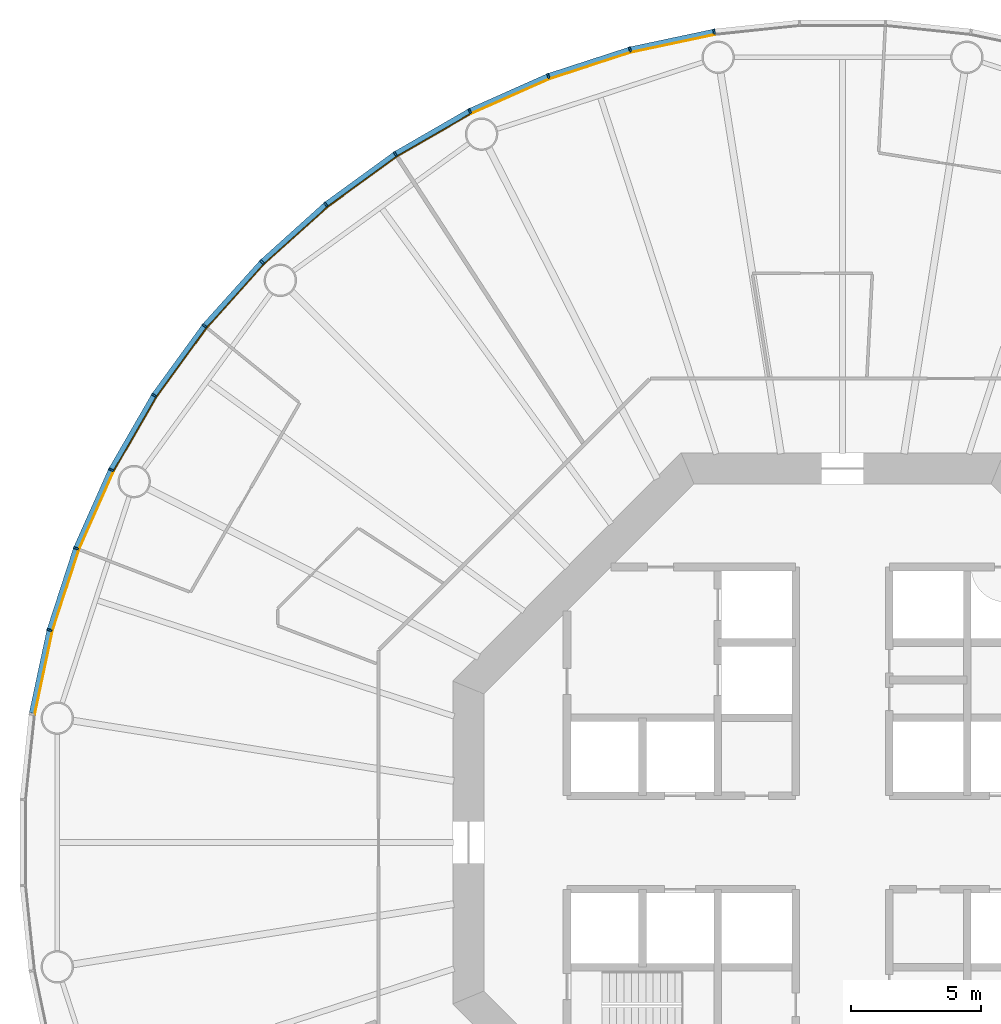
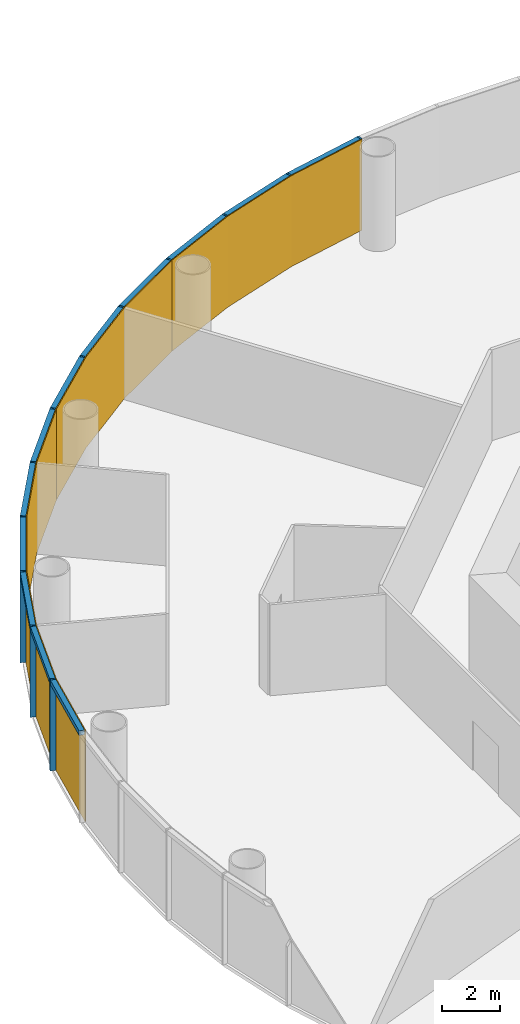
# One storey, part 10 of 13: 24 members, 4 curtain walls.
"""IFC4 building model written with IfcOpenShell, lengths in metres."""

from ifc_helpers import new_model, si_unit, direction, frame, origin, origin_2d, place, context, subcontext, project, spatial, polyline, rectangle, outline, extrude, material, layer, layer_set, material_profile, profile_set, type_object, element, aggregate, save


model = new_model("IFC4")

# Units and contexts
model_context = context("Model", 3, precision=1e-05, world=origin(), true_north=direction((0.0, 1.0)))
body_context = subcontext(model_context, "Body", "Model", "MODEL_VIEW")
ifc_project = project(units=[si_unit("LENGTHUNIT", "METRE"), si_unit("AREAUNIT", "SQUARE_METRE"), si_unit("VOLUMEUNIT", "CUBIC_METRE"), si_unit("PLANEANGLEUNIT", "RADIAN"), si_unit("MASSUNIT", "GRAM", prefix="KILO")], contexts=[model_context])

# Member
ifc_material_1 = material(Name="Anodised aluminium", Category="aluminium")
ifc_material_profile_1 = material_profile(ifc_material_1, rectangle(XDim=0.070068359375, YDim=0.199951171875, at=origin_2d()), Name="Mullion 70 x 200 mm anodised aluminium")
ifc_profile_set_1 = profile_set([ifc_material_profile_1], Name="Anodised aluminium")
member_type_1 = type_object("IfcMemberType", Name="Mullion 70 x 200 mm anodised aluminium", PredefinedType="MULLION", material=ifc_profile_set_1)
site_placement = place(None, origin())
building_placement = place(site_placement, origin())
storey_placement = place(building_placement, frame((0.0, 0.0, 124.0)))
member_1_placement = place(storey_placement, frame((85.056640625, 111.2109375, 0.0), z_axis=(0.0, 0.0, 1.0), x_axis=(-0.987688340595, -0.15643446504, 0.0)))
member_1 = element("IfcMember", 1, at=member_1_placement, type_object=member_type_1, Name="MULLION L28-15", PredefinedType="MULLION", context=body_context, shape_type="SweptSolid", body=[
    extrude(rectangle(XDim=0.070068359375, YDim=0.199951171875, at=origin_2d()), origin(), (0.0, 0.0, 1.0), 3.85009765625),
])

member_2_placement = place(storey_placement, frame((81.8212890625, 110.523193359375, 0.0), z_axis=(0.0, 0.0, 1.0), x_axis=(-0.965925826289, -0.258819045103, 0.0)))
member_2 = element("IfcMember", 2, at=member_2_placement, type_object=member_type_1, Name="MULLION L28-16", PredefinedType="MULLION", context=body_context, shape_type="SweptSolid", body=[
    extrude(rectangle(XDim=0.070068359375, YDim=0.199951171875, at=origin_2d()), origin(), (0.0, 0.0, 1.0), 3.85009765625),
])

member_3_placement = place(storey_placement, frame((78.675537109375, 109.501220703125, 0.0), z_axis=(0.0, 0.0, 1.0), x_axis=(-0.933580426497, -0.358367949545, 0.0)))
member_3 = element("IfcMember", 3, at=member_3_placement, type_object=member_type_1, Name="MULLION L28-17", PredefinedType="MULLION", context=body_context, shape_type="SweptSolid", body=[
    extrude(rectangle(XDim=0.070068359375, YDim=0.199951171875, at=origin_2d()), origin(), (0.0, 0.0, 1.0), 3.85009765625),
])

member_4_placement = place(storey_placement, frame((75.65380859375, 108.15576171875, 0.0), z_axis=(0.0, 0.0, 1.0), x_axis=(-0.891006524188, -0.45399049974, 0.0)))
member_4 = element("IfcMember", 4, at=member_4_placement, type_object=member_type_1, Name="MULLION L28-18", PredefinedType="MULLION", context=body_context, shape_type="SweptSolid", body=[
    extrude(rectangle(XDim=0.070068359375, YDim=0.199951171875, at=origin_2d()), origin(), (0.0, 0.0, 1.0), 3.85009765625),
])

member_5_placement = place(storey_placement, frame((72.789306640625, 106.501953125, 0.0), z_axis=(0.0, 0.0, 1.0), x_axis=(-0.838670567945, -0.544639035015, 0.0)))
member_5 = element("IfcMember", 5, at=member_5_placement, type_object=member_type_1, Name="MULLION L28-19", PredefinedType="MULLION", context=body_context, shape_type="SweptSolid", body=[
    extrude(rectangle(XDim=0.070068359375, YDim=0.199951171875, at=origin_2d()), origin(), (0.0, 0.0, 1.0), 3.85009765625),
])

member_6_placement = place(storey_placement, frame((70.113525390625, 104.557861328125, 0.0), z_axis=(0.0, 0.0, 1.0), x_axis=(-0.777145961457, -0.62932039105, 0.0)))
member_6 = element("IfcMember", 6, at=member_6_placement, type_object=member_type_1, Name="MULLION L28-20", PredefinedType="MULLION", context=body_context, shape_type="SweptSolid", body=[
    extrude(rectangle(XDim=0.070068359375, YDim=0.199951171875, at=origin_2d()), origin(), (0.0, 0.0, 1.0), 3.85009765625),
])

member_7_placement = place(storey_placement, frame((67.655517578125, 102.344482421875, 0.0), z_axis=(0.0, 0.0, 1.0), x_axis=(-0.707106781187, -0.707106781187, 0.0)))
member_7 = element("IfcMember", 7, at=member_7_placement, type_object=member_type_1, Name="MULLION L28-21", PredefinedType="MULLION", context=body_context, shape_type="SweptSolid", body=[
    extrude(rectangle(XDim=0.070068359375, YDim=0.199951171875, at=origin_2d()), origin(), (0.0, 0.0, 1.0), 3.85009765625),
])

member_8_placement = place(storey_placement, frame((65.442138671875, 99.886474609375, 0.0), z_axis=(0.0, 0.0, 1.0), x_axis=(-0.62932039105, -0.777145961457, 0.0)))
member_8 = element("IfcMember", 8, at=member_8_placement, type_object=member_type_1, Name="MULLION L28-22", PredefinedType="MULLION", context=body_context, shape_type="SweptSolid", body=[
    extrude(rectangle(XDim=0.070068359375, YDim=0.199951171875, at=origin_2d()), origin(), (0.0, 0.0, 1.0), 3.85009765625),
])

member_9_placement = place(storey_placement, frame((63.498046875, 97.210693359375, 0.0), z_axis=(0.0, 0.0, 1.0), x_axis=(-0.544639035015, -0.838670567945, 0.0)))
member_9 = element("IfcMember", 9, at=member_9_placement, type_object=member_type_1, Name="MULLION L28-23", PredefinedType="MULLION", context=body_context, shape_type="SweptSolid", body=[
    extrude(rectangle(XDim=0.070068359375, YDim=0.199951171875, at=origin_2d()), origin(), (0.0, 0.0, 1.0), 3.85009765625),
])

member_10_placement = place(storey_placement, frame((61.84423828125, 94.34619140625, 0.0), z_axis=(0.0, 0.0, 1.0), x_axis=(-0.45399049974, -0.891006524188, 0.0)))
member_10 = element("IfcMember", 10, at=member_10_placement, type_object=member_type_1, Name="MULLION L28-24", PredefinedType="MULLION", context=body_context, shape_type="SweptSolid", body=[
    extrude(rectangle(XDim=0.070068359375, YDim=0.199951171875, at=origin_2d()), origin(), (0.0, 0.0, 1.0), 3.85009765625),
])

member_11_placement = place(storey_placement, frame((60.498779296875, 91.324462890625, 0.0), z_axis=(0.0, 0.0, 1.0), x_axis=(-0.358367949545, -0.933580426497, 0.0)))
member_11 = element("IfcMember", 11, at=member_11_placement, type_object=member_type_1, Name="MULLION L28-25", PredefinedType="MULLION", context=body_context, shape_type="SweptSolid", body=[
    extrude(rectangle(XDim=0.070068359375, YDim=0.199951171875, at=origin_2d()), origin(), (0.0, 0.0, 1.0), 3.85009765625),
])

member_12_placement = place(storey_placement, frame((59.476806640625, 88.1787109375, 0.0), z_axis=(0.0, 0.0, 1.0), x_axis=(-0.258819045103, -0.965925826289, 0.0)))
member_12 = element("IfcMember", 12, at=member_12_placement, type_object=member_type_1, Name="MULLION L28-26", PredefinedType="MULLION", context=body_context, shape_type="SweptSolid", body=[
    extrude(rectangle(XDim=0.070068359375, YDim=0.199951171875, at=origin_2d()), origin(), (0.0, 0.0, 1.0), 3.85009765625),
])

ifc_material_2 = material(Name="Anodised aluminium", Category="aluminium")
ifc_material_profile_2 = material_profile(ifc_material_2, rectangle(XDim=0.199951171875, YDim=0.18994140625, at=origin_2d()), Name="Transom 190 x 200 mm anodised aluminium")
ifc_profile_set_2 = profile_set([ifc_material_profile_2], Name="Anodised aluminium")
member_type_2 = type_object("IfcMemberType", Name="Transom 190 x 200 mm anodised aluminium", PredefinedType="USERDEFINED", material=ifc_profile_set_2)
member_13_placement = place(storey_placement, frame((85.017333984375, 111.20263671875, 3.7548828125), z_axis=(-0.978153082647, -0.207885898771, 0.0), x_axis=(0.207885898771, -0.978153082647, 0.0)))
member_13 = element("IfcMember", 13, at=member_13_placement, type_object=member_type_2, Name="TRANSOM L28-15", ObjectType="TRANSOM", PredefinedType="USERDEFINED", context=body_context, shape_type="SweptSolid", body=[
    extrude(rectangle(XDim=0.199951171875, YDim=0.18994140625, at=origin_2d()), origin(), (0.0, 0.0, 1.0), 3.227294921875),
])

member_14_placement = place(storey_placement, frame((81.782958984375, 110.510986328125, 3.7548828125), z_axis=(-0.951046855117, -0.309046726844, 0.0), x_axis=(0.309046726844, -0.951046855117, 0.0)))
member_14 = element("IfcMember", 14, at=member_14_placement, type_object=member_type_2, Name="TRANSOM L28-16", ObjectType="TRANSOM", PredefinedType="USERDEFINED", context=body_context, shape_type="SweptSolid", body=[
    extrude(rectangle(XDim=0.199951171875, YDim=0.18994140625, at=origin_2d()), origin(), (0.0, 0.0, 1.0), 3.22705078125),
])

member_15_placement = place(storey_placement, frame((78.638671875, 109.48486328125, 3.7548828125), z_axis=(-0.913549291349, -0.406728032322, 0.0), x_axis=(0.406728032322, -0.913549291349, 0.0)))
member_15 = element("IfcMember", 15, at=member_15_placement, type_object=member_type_2, Name="TRANSOM L28-17", ObjectType="TRANSOM", PredefinedType="USERDEFINED", context=body_context, shape_type="SweptSolid", body=[
    extrude(rectangle(XDim=0.199951171875, YDim=0.18994140625, at=origin_2d()), origin(), (0.0, 0.0, 1.0), 3.22705078125),
])

member_16_placement = place(storey_placement, frame((75.618896484375, 108.1357421875, 3.7548828125), z_axis=(-0.866023062494, -0.500004055213, 0.0), x_axis=(0.500004055213, -0.866023062494, 0.0)))
member_16 = element("IfcMember", 16, at=member_16_placement, type_object=member_type_2, Name="TRANSOM L28-18", ObjectType="TRANSOM", PredefinedType="USERDEFINED", context=body_context, shape_type="SweptSolid", body=[
    extrude(rectangle(XDim=0.199951171875, YDim=0.18994140625, at=origin_2d()), origin(), (0.0, 0.0, 1.0), 3.22705078125),
])

member_17_placement = place(storey_placement, frame((72.7568359375, 106.478515625, 3.7548828125), z_axis=(-0.809004252048, -0.587802790201, 0.0), x_axis=(0.587802790201, -0.809004252048, 0.0)))
member_17 = element("IfcMember", 17, at=member_17_placement, type_object=member_type_2, Name="TRANSOM L28-19", ObjectType="TRANSOM", PredefinedType="USERDEFINED", context=body_context, shape_type="SweptSolid", body=[
    extrude(rectangle(XDim=0.199951171875, YDim=0.18994140625, at=origin_2d()), origin(), (0.0, 0.0, 1.0), 3.227294921875),
])

member_18_placement = place(storey_placement, frame((70.08349609375, 104.531005859375, 3.7548828125), z_axis=(-0.743132370743, -0.669144438484, 0.0), x_axis=(0.669144438484, -0.743132370743, 0.0)))
member_18 = element("IfcMember", 18, at=member_18_placement, type_object=member_type_2, Name="TRANSOM L28-20", ObjectType="TRANSOM", PredefinedType="USERDEFINED", context=body_context, shape_type="SweptSolid", body=[
    extrude(rectangle(XDim=0.199951171875, YDim=0.18994140625, at=origin_2d()), origin(), (0.0, 0.0, 1.0), 3.22705078125),
])

member_19_placement = place(storey_placement, frame((67.62841796875, 102.314697265625, 3.7548828125), z_axis=(-0.669144438484, -0.743132370743, 0.0), x_axis=(0.743132370743, -0.669144438484, 0.0)))
member_19 = element("IfcMember", 19, at=member_19_placement, type_object=member_type_2, Name="TRANSOM L28-21", ObjectType="TRANSOM", PredefinedType="USERDEFINED", context=body_context, shape_type="SweptSolid", body=[
    extrude(rectangle(XDim=0.199951171875, YDim=0.18994140625, at=origin_2d()), origin(), (0.0, 0.0, 1.0), 3.22705078125),
])

member_20_placement = place(storey_placement, frame((65.41845703125, 99.85400390625, 3.7548828125), z_axis=(-0.587802790201, -0.809004252048, 0.0), x_axis=(0.809004252048, -0.587802790201, 0.0)))
member_20 = element("IfcMember", 20, at=member_20_placement, type_object=member_type_2, Name="TRANSOM L28-22", ObjectType="TRANSOM", PredefinedType="USERDEFINED", context=body_context, shape_type="SweptSolid", body=[
    extrude(rectangle(XDim=0.199951171875, YDim=0.18994140625, at=origin_2d()), origin(), (0.0, 0.0, 1.0), 3.227294921875),
])

member_21_placement = place(storey_placement, frame((63.477783203125, 97.17578125, 3.7548828125), z_axis=(-0.500004055213, -0.866023062494, 0.0), x_axis=(0.866023062494, -0.500004055213, 0.0)))
member_21 = element("IfcMember", 21, at=member_21_placement, type_object=member_type_2, Name="TRANSOM L28-23", ObjectType="TRANSOM", PredefinedType="USERDEFINED", context=body_context, shape_type="SweptSolid", body=[
    extrude(rectangle(XDim=0.199951171875, YDim=0.18994140625, at=origin_2d()), origin(), (0.0, 0.0, 1.0), 3.22705078125),
])

member_22_placement = place(storey_placement, frame((61.82763671875, 94.309326171875, 3.7548828125), z_axis=(-0.406728032322, -0.913549291349, 0.0), x_axis=(0.913549291349, -0.406728032322, 0.0)))
member_22 = element("IfcMember", 22, at=member_22_placement, type_object=member_type_2, Name="TRANSOM L28-24", ObjectType="TRANSOM", PredefinedType="USERDEFINED", context=body_context, shape_type="SweptSolid", body=[
    extrude(rectangle(XDim=0.199951171875, YDim=0.18994140625, at=origin_2d()), origin(), (0.0, 0.0, 1.0), 3.22705078125),
])

member_23_placement = place(storey_placement, frame((60.486328125, 91.2861328125, 3.7548828125), z_axis=(-0.309046726844, -0.951046855117, 0.0), x_axis=(0.951046855117, -0.309046726844, 0.0)))
member_23 = element("IfcMember", 23, at=member_23_placement, type_object=member_type_2, Name="TRANSOM L28-25", ObjectType="TRANSOM", PredefinedType="USERDEFINED", context=body_context, shape_type="SweptSolid", body=[
    extrude(rectangle(XDim=0.199951171875, YDim=0.18994140625, at=origin_2d()), origin(), (0.0, 0.0, 1.0), 3.22705078125),
])

member_24_placement = place(storey_placement, frame((59.46826171875, 88.139404296875, 3.7548828125), z_axis=(-0.207885898771, -0.978153082647, 0.0), x_axis=(0.978153082647, -0.207885898771, 0.0)))
member_24 = element("IfcMember", 24, at=member_24_placement, type_object=member_type_2, Name="TRANSOM L28-26", ObjectType="TRANSOM", PredefinedType="USERDEFINED", context=body_context, shape_type="SweptSolid", body=[
    extrude(rectangle(XDim=0.199951171875, YDim=0.18994140625, at=origin_2d()), origin(), (0.0, 0.0, 1.0), 3.227294921875),
])

# Site, building, storey
site = spatial("IfcSite", under=ifc_project, at=site_placement, CompositionType="ELEMENT")
building = spatial("IfcBuilding", under=site, at=building_placement, Name="Entoto Ring Tower", CompositionType="ELEMENT")
storey = spatial("IfcBuildingStorey", under=building, at=storey_placement, Name="L28", CompositionType="ELEMENT", Elevation=124.0)

# Curtain wall
ifc_material_3 = material(Name="Clear low-iron glass", Category="glass")
ifc_layer = layer(ifc_material_3, 0.035888671875)
ifc_layer_set = layer_set([ifc_layer], Name="Clear low-iron glass")
curtain_wall_type = type_object("IfcCurtainWallType", Name="Curtain wall system CW2 glazing 36 mm", PredefinedType="NOTDEFINED", material=ifc_layer_set)
curtain_wall_1_placement = place(storey_placement, origin())
curtain_wall_1 = element("IfcCurtainWall", 25, at=curtain_wall_1_placement, inside=storey, type_object=curtain_wall_type, Name="CW2 L28-06", PredefinedType="NOTDEFINED", context=body_context, shape_type="SweptSolid", body=[
    extrude(outline(polyline([(85.072265625, 111.1123046875), (81.84716796875, 110.4267578125), (78.71142578125, 109.40771484375), (75.69921875, 108.066650390625), (75.715576171875, 108.03466796875), (78.724365234375, 109.3740234375), (81.8564453125, 110.391845703125), (85.077880859375, 111.07666015625), (85.072265625, 111.1123046875)])), origin(), (0.0, 0.0, 1.0), 3.85009765625),
])

aggregate(curtain_wall_1, [member_1, member_2, member_3, member_13, member_14, member_15])

curtain_wall_2_placement = place(storey_placement, origin())
curtain_wall_2 = element("IfcCurtainWall", 26, at=curtain_wall_2_placement, inside=storey, type_object=curtain_wall_type, Name="CW2 L28-07", PredefinedType="NOTDEFINED", context=body_context, shape_type="SweptSolid", body=[
    extrude(outline(polyline([(75.69921875, 108.066650390625), (72.84375, 106.418212890625), (70.176513671875, 104.47998046875), (67.72607421875, 102.27392578125), (67.751708984375, 102.248291015625), (70.198974609375, 104.4521484375), (72.863525390625, 106.387939453125), (75.715576171875, 108.03466796875), (75.69921875, 108.066650390625)])), origin(), (0.0, 0.0, 1.0), 3.85009765625),
])

aggregate(curtain_wall_2, [member_4, member_5, member_6, member_16, member_17, member_18])

curtain_wall_3_placement = place(storey_placement, origin())
curtain_wall_3 = element("IfcCurtainWall", 27, at=curtain_wall_3_placement, inside=storey, type_object=curtain_wall_type, Name="CW2 L28-08", PredefinedType="NOTDEFINED", context=body_context, shape_type="SweptSolid", body=[
    extrude(outline(polyline([(67.72607421875, 102.27392578125), (65.52001953125, 99.823486328125), (63.581787109375, 97.15625), (61.933349609375, 94.30078125), (61.96533203125, 94.284423828125), (63.612060546875, 97.136474609375), (65.5478515625, 99.801025390625), (67.751708984375, 102.248291015625), (67.72607421875, 102.27392578125)])), origin(), (0.0, 0.0, 1.0), 3.85009765625),
])

aggregate(curtain_wall_3, [member_7, member_8, member_9, member_19, member_20, member_21])

curtain_wall_4_placement = place(storey_placement, origin())
curtain_wall_4 = element("IfcCurtainWall", 28, at=curtain_wall_4_placement, inside=storey, type_object=curtain_wall_type, Name="CW2 L28-09", PredefinedType="NOTDEFINED", context=body_context, shape_type="SweptSolid", body=[
    extrude(outline(polyline([(61.933349609375, 94.30078125), (60.59228515625, 91.28857421875), (59.5732421875, 88.15283203125), (58.8876953125, 84.927734375), (58.92333984375, 84.922119140625), (59.608154296875, 88.1435546875), (60.6259765625, 91.275634765625), (61.96533203125, 94.284423828125), (61.933349609375, 94.30078125)])), origin(), (0.0, 0.0, 1.0), 3.85009765625),
])

aggregate(curtain_wall_4, [member_10, member_11, member_12, member_22, member_23, member_24])

save(model, "model.ifc")
